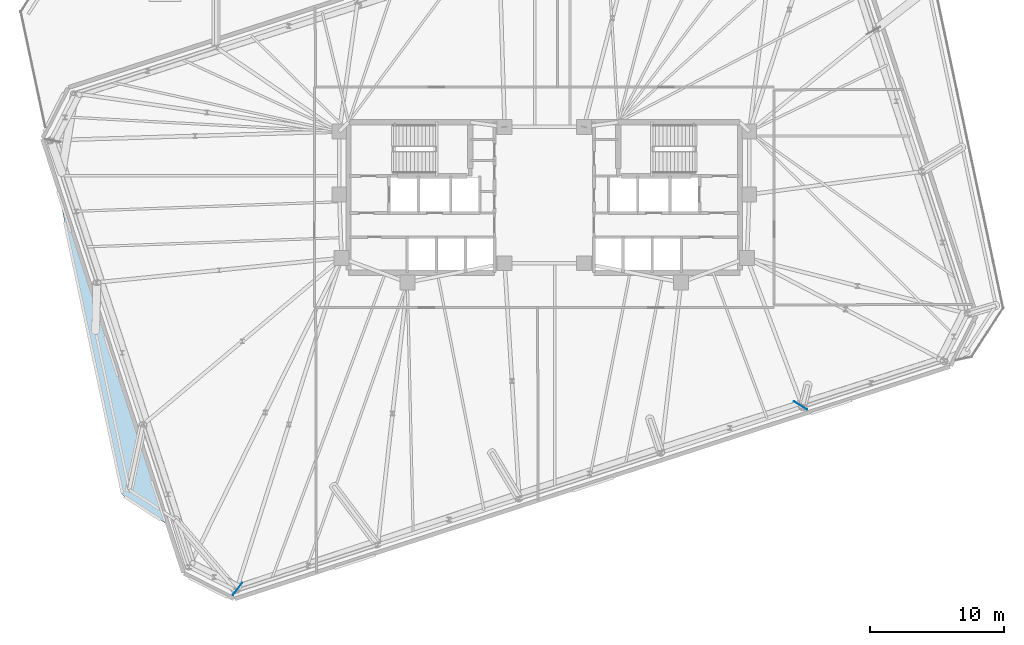
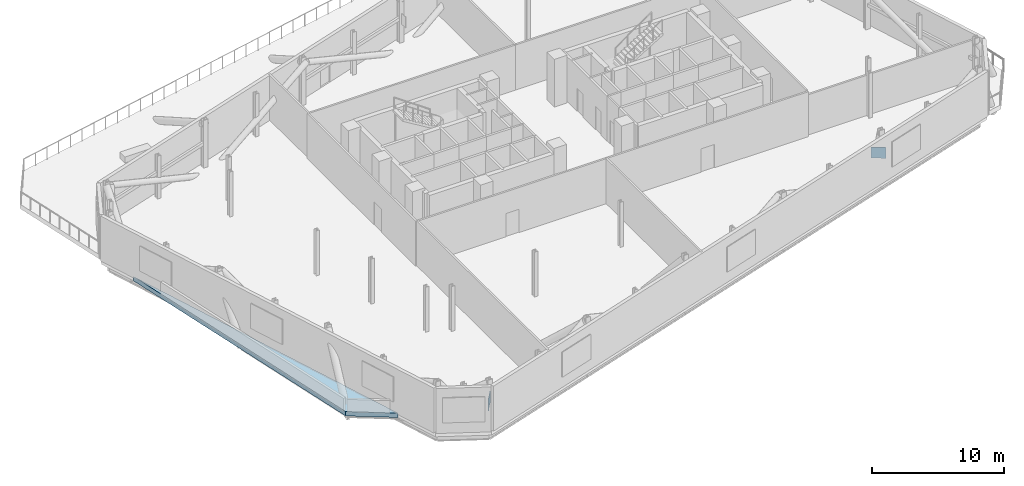
# One storey, part 10 of 16: 2 plates, 1 slab.
"""IFC4 building model written with IfcOpenShell, lengths in metres."""

from ifc_helpers import new_model, si_unit, direction, frame, origin, origin_2d, place, context, subcontext, project, spatial, polyline, rectangle, outline, extrude, material, layer, layer_set, type_object, element, save


model = new_model("IFC4")

# Units and contexts
model_context = context("Model", 3, precision=1e-05, world=origin(), true_north=direction((0.0, 1.0)))
body_context = subcontext(model_context, "Body", "Model", "MODEL_VIEW")
ifc_project = project(units=[si_unit("LENGTHUNIT", "METRE"), si_unit("AREAUNIT", "SQUARE_METRE"), si_unit("VOLUMEUNIT", "CUBIC_METRE"), si_unit("PLANEANGLEUNIT", "RADIAN"), si_unit("MASSUNIT", "GRAM", prefix="KILO")], contexts=[model_context])

# Site, building, storey
site_placement = place(None, origin())
site = spatial("IfcSite", under=ifc_project, at=site_placement, CompositionType="ELEMENT")
building_placement = place(site_placement, origin())
building = spatial("IfcBuilding", under=site, at=building_placement, Name="Menara Jurai Vektor", CompositionType="ELEMENT")
storey_placement = place(building_placement, frame((0.0, 0.0, 202.39990234375)))
storey = spatial("IfcBuildingStorey", under=building, at=storey_placement, Name="L53", CompositionType="ELEMENT", Elevation=202.39990234375)

# Plates
ifc_material_1 = material(Name="Steel S460", Category="steel")
ifc_layer_1 = layer(ifc_material_1, 0.031982421875)
ifc_layer_set_1 = layer_set([ifc_layer_1], Name="Steel S460")
plate_type = type_object("IfcPlateType", Name="STR-PLT-GUSSET32", PredefinedType="SHEET", material=ifc_layer_set_1)
for number, where, z_axis, x_axis, name in (
    (1, (-22.810791015625, -29.114990234375, 1.7001953125), (0.0, 0.0, 1.0), (0.600559787483, 0.799579853209, 0.0), "Transfer Truss Gusset Plate L53-01"),
    (2, (19.059326171875, -15.4775390625, 1.7001953125), (0.0, 0.0, 1.0), (-0.852548958165, 0.522647370539, 0.0), "Transfer Truss Gusset Plate L53-05"),
):
    element("IfcPlate", number, at=place(storey_placement, frame(where, z_axis=z_axis, x_axis=x_axis)), inside=storey, type_object=plate_type, Name=name, PredefinedType="SHEET", context=body_context, shape_type="SweptSolid", body=[
        extrude(rectangle(XDim=1.14990234375, YDim=0.031982421875, at=origin_2d()), origin(), (0.0, 0.0, 1.0), 1.0),
    ])

# Slab
ifc_material_2 = material(Name="Concrete C40/50", Category="concrete")
ifc_layer_2 = layer(ifc_material_2, 0.280029296875)
ifc_layer_set_2 = layer_set([ifc_layer_2], Name="Concrete C40/50")
slab_type = type_object("IfcSlabType", Name="STR-ROOF-TER280", PredefinedType="ROOF", material=ifc_layer_set_2)
slab_placement = place(storey_placement, frame((0.0, 0.0, -0.40478515625)))
element("IfcSlab", 3, at=slab_placement, inside=storey, type_object=slab_type, Name="Block Setback Maintenance Roof Slab L53-2", PredefinedType="ROOF", context=body_context, shape_type="SweptSolid", body=[
    extrude(outline(polyline([(-28.004638671875, -24.33056640625), (-36.323974609375, 1.2734375), (-31.34228515625, -22.1630859375), (-28.004638671875, -24.33056640625)])), origin(), (0.0, 0.0, 1.0), 0.40478515625),
])

save(model, "model.ifc")
